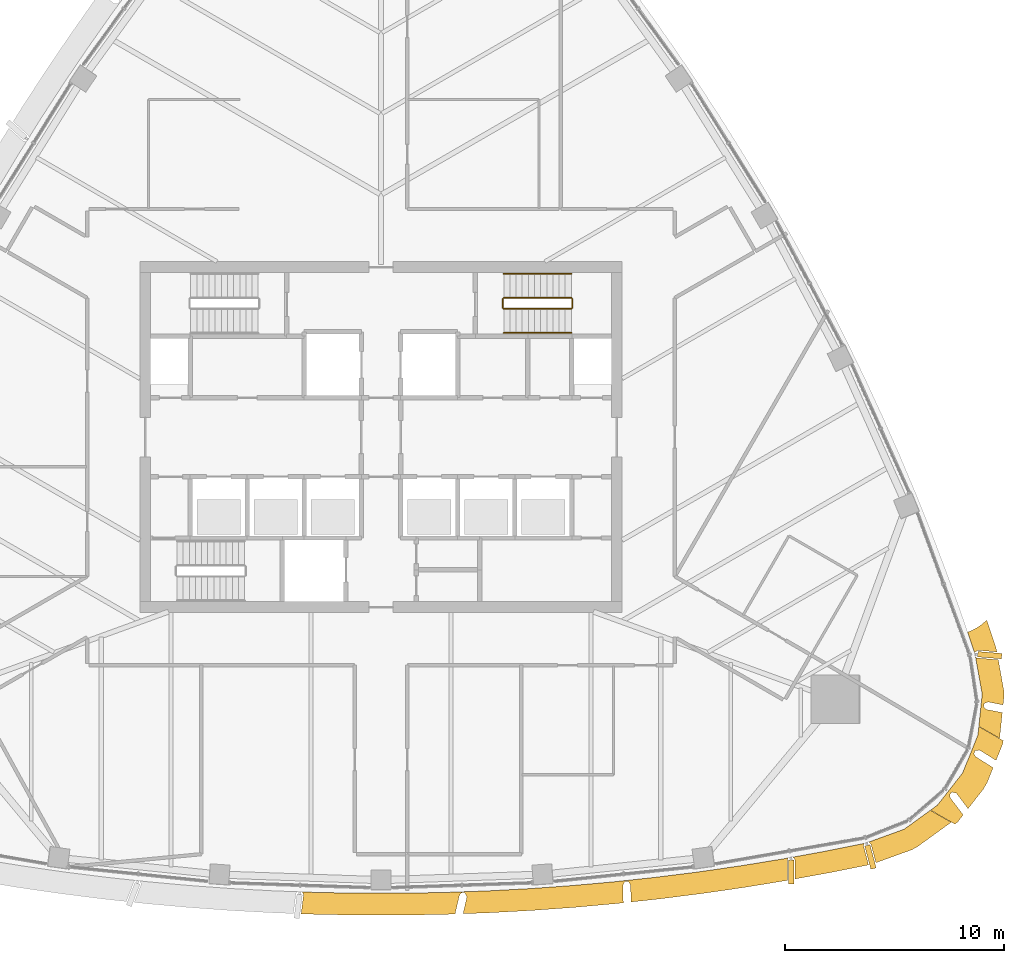
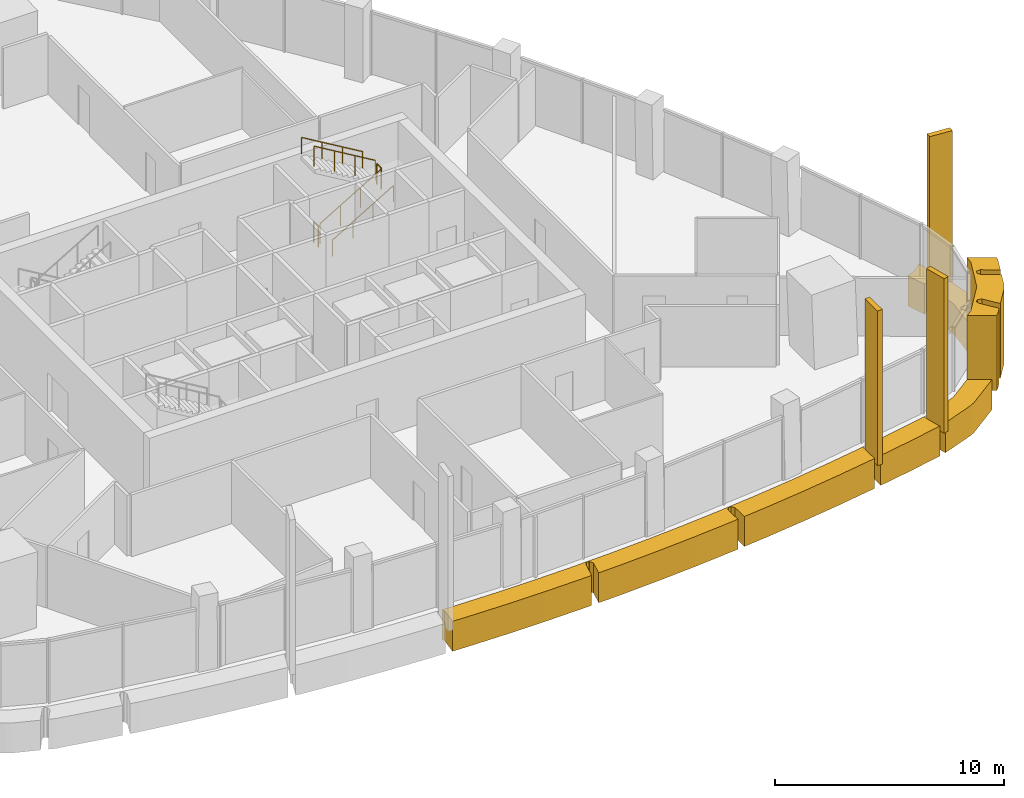
# One storey, part 16 of 18: 9 coverings, 6 railings.
"""IFC4 building model written with IfcOpenShell, lengths in metres."""

from ifc_helpers import new_model, si_unit, direction, frame, origin, origin_2d, place, context, subcontext, project, spatial, polyline, rectangle, circle, outline, extrude, material, layer, layer_set, material_profile, profile_set, type_object, element, save


model = new_model("IFC4")

# Units and contexts
model_context = context("Model", 3, precision=1e-05, world=origin(), true_north=direction((0.0, 1.0)))
body_context = subcontext(model_context, "Body", "Model", "MODEL_VIEW")
ifc_project = project(units=[si_unit("LENGTHUNIT", "METRE"), si_unit("AREAUNIT", "SQUARE_METRE"), si_unit("VOLUMEUNIT", "CUBIC_METRE"), si_unit("PLANEANGLEUNIT", "RADIAN"), si_unit("MASSUNIT", "GRAM", prefix="KILO")], contexts=[model_context])

# Site, building, storey
site_placement = place(None, origin())
site = spatial("IfcSite", under=ifc_project, at=site_placement, CompositionType="ELEMENT")
building_placement = place(site_placement, origin())
building = spatial("IfcBuilding", under=site, at=building_placement, Name="Sierra Prisma Convention Tower", CompositionType="ELEMENT")
storey_placement = place(building_placement, frame((0.0, 0.0, 287.0)))
storey = spatial("IfcBuildingStorey", under=building, at=storey_placement, Name="L65", CompositionType="ELEMENT", Elevation=287.0)

# Coverings
ifc_material_1 = material(Name="Aluminium composite bronze anodised", Category="aluminium")
ifc_layer_1 = layer(ifc_material_1, 1.199951171875)
ifc_layer_set_1 = layer_set([ifc_layer_1], Name="Bronze corner pier")
covering_type_1 = type_object("IfcCoveringType", Name="Bronze corner pier", PredefinedType="CLADDING", material=ifc_layer_set_1)
covering_1_placement = place(storey_placement, frame((0.0, 0.0, -0.60009765625)))
element("IfcCovering", 1, at=covering_1_placement, inside=storey, type_object=covering_type_1, Name="Corner pier SE L65.1", PredefinedType="CLADDING", context=body_context, shape_type="SweptSolid", body=[
    extrude(outline(polyline([(27.10009765625, -14.30029296875), (27.09619140625, -14.30322265625), (27.092529296875, -14.306640625), (27.089111328125, -14.310302734375), (27.086181640625, -14.314208984375), (27.083740234375, -14.318603515625), (27.081787109375, -14.322998046875), (27.044189453125, -14.415771484375), (27.04248046875, -14.420654296875), (27.04150390625, -14.42578125), (27.040771484375, -14.430908203125), (27.040771484375, -14.43603515625), (27.041015625, -14.441162109375), (27.0419921875, -14.4462890625), (27.04345703125, -14.451416015625), (27.04541015625, -14.4560546875), (27.048095703125, -14.460693359375), (27.11181640625, -14.565185546875), (27.114501953125, -14.569091796875), (27.1171875, -14.572509765625), (27.12060546875, -14.575927734375), (27.124267578125, -14.578857421875), (27.1279296875, -14.58154296875), (27.914306640625, -15.072265625), (27.635986328125, -15.76220703125), (27.468505859375, -16.052490234375), (26.770751953125, -16.944580078125), (26.24951171875, -16.251953125), (26.246337890625, -16.248291015625), (26.242919921875, -16.24462890625), (26.239013671875, -16.24169921875), (26.23486328125, -16.239013671875), (26.230224609375, -16.236572265625), (26.2255859375, -16.234619140625), (26.220947265625, -16.2333984375), (26.057373046875, -16.1953125), (26.052734375, -16.1943359375), (26.048095703125, -16.194091796875), (26.043212890625, -16.194091796875), (26.03857421875, -16.194580078125), (26.033935546875, -16.1953125), (26.029296875, -16.19677734375), (26.02490234375, -16.198486328125), (26.020751953125, -16.20068359375), (26.016845703125, -16.203369140625), (26.01318359375, -16.206298828125), (26.009765625, -16.20947265625), (26.006591796875, -16.213134765625), (25.945068359375, -16.2919921875), (25.942138671875, -16.2958984375), (25.939697265625, -16.30029296875), (25.937744140625, -16.3046875), (25.936279296875, -16.3095703125), (25.93505859375, -16.314208984375), (25.9345703125, -16.319091796875), (25.934326171875, -16.32421875), (25.934814453125, -16.3291015625), (25.935791015625, -16.333984375), (25.961181640625, -16.443603515625), (25.962646484375, -16.44873046875), (25.964599609375, -16.45361328125), (25.967041015625, -16.4580078125), (25.969970703125, -16.46240234375), (26.547607421875, -17.22998046875), (26.31787109375, -17.523681640625), (26.1806640625, -17.65576171875), (25.0615234375, -17.009521484375), (25.37255859375, -16.784423828125), (26.523193359375, -15.313232421875), (27.221923828125, -13.5810546875), (27.261474609375, -13.19921875), (28.380615234375, -13.84521484375), (28.334716796875, -14.030029296875), (28.04736328125, -14.74267578125), (27.313232421875, -14.28466796875), (27.30908203125, -14.2822265625), (27.304931640625, -14.280517578125), (27.300537109375, -14.279052734375), (27.296142578125, -14.27783203125), (27.29150390625, -14.277099609375), (27.286865234375, -14.277099609375), (27.2822265625, -14.277099609375), (27.123291015625, -14.2919921875), (27.118408203125, -14.292724609375), (27.11376953125, -14.2939453125), (27.10888671875, -14.295654296875), (27.1044921875, -14.297607421875), (27.10009765625, -14.30029296875)])), origin(), (0.0, 0.0, 1.0), 4.0),
])
ifc_material_2 = material(Name="Aluminium 6063-T6 bronze anodised", Category="aluminium")
ifc_material_profile = material_profile(ifc_material_2, rectangle(XDim=1.10009765625, YDim=0.25, at=origin_2d()), Name="ALU FIN 1100x250")
ifc_profile_set = profile_set([ifc_material_profile], Name="Aluminium 6063-T6 bronze anodised")
covering_type_2 = type_object("IfcCoveringType", Name="Bronze facade fin", PredefinedType="CLADDING", material=ifc_profile_set)
for number, where, z_axis, x_axis, name in (
    (2, (18.706787109375, -19.837890625, -0.300048828125), (0.0, 0.0, 1.0), (0.004905873502, -0.99998796613, 0.0), "Fin L65.17"),
    (3, (22.317626953125, -19.146728515625, -0.300048828125), (0.0, 0.0, 1.0), (0.256335063671, -0.966587986235, 0.0), "Fin L65.18"),
    (4, (27.757568359375, -9.944580078125, -0.300048828125), (0.0, 0.0, 1.0), (0.996415459491, -0.084594515708, 0.0), "Fin L65.23"),
):
    element("IfcCovering", number, at=place(storey_placement, frame(where, z_axis=z_axis, x_axis=x_axis)), inside=storey, type_object=covering_type_2, Name=name, ObjectType="FIN", PredefinedType="CLADDING", context=body_context, shape_type="SweptSolid", body=[
        extrude(rectangle(XDim=1.10009765625, YDim=0.25, at=origin_2d()), origin(), (0.0, 0.0, 1.0), 8.25),
    ])
ifc_material_3 = material(Name="Aluminium composite bronze anodised", Category="aluminium")
ifc_layer_2 = layer(ifc_material_3, 1.0)
ifc_layer_set_2 = layer_set([ifc_layer_2], Name="Bronze spandrel band")
covering_type_3 = type_object("IfcCoveringType", Name="Bronze spandrel band", PredefinedType="CLADDING", material=ifc_layer_set_2)
covering_2_placement = place(storey_placement, frame((0.0, 0.0, -1.60009765625)))
element("IfcCovering", 5, at=covering_2_placement, inside=storey, type_object=covering_type_3, Name="Spandrel band L65.7", PredefinedType="CLADDING", context=body_context, shape_type="SweptSolid", body=[
    extrude(outline(polyline([(28.03271484375, -9.564208984375), (28.069580078125, -9.70849609375), (28.08544921875, -9.796630859375), (27.224365234375, -9.7236328125), (27.219482421875, -9.723388671875), (27.21435546875, -9.7236328125), (27.20947265625, -9.724609375), (27.20458984375, -9.725830078125), (27.2001953125, -9.7275390625), (27.195556640625, -9.729736328125), (27.19140625, -9.732421875), (27.06396484375, -9.822021484375), (26.751220703125, -8.897216796875), (26.958984375, -8.809326171875), (27.17529296875, -8.69189453125), (27.379150390625, -8.5537109375), (27.568603515625, -8.396484375), (27.619873046875, -8.344482421875), (28.03271484375, -9.564208984375)])), origin(), (0.0, 0.0, 1.0), 1.60009765625),
])
covering_3_placement = place(storey_placement, frame((0.0, 0.0, -1.60009765625)))
element("IfcCovering", 6, at=covering_3_placement, inside=storey, type_object=covering_type_3, Name="Spandrel band L65.8", PredefinedType="CLADDING", context=body_context, shape_type="SweptSolid", body=[
    extrude(outline(polyline([(27.6669921875, -12.082763671875), (27.662109375, -12.084716796875), (27.5244140625, -12.145263671875), (27.52001953125, -12.1474609375), (27.51611328125, -12.14990234375), (27.51220703125, -12.15283203125), (27.5087890625, -12.156005859375), (27.505615234375, -12.15966796875), (27.502685546875, -12.16357421875), (27.500244140625, -12.167724609375), (27.498291015625, -12.172119140625), (27.49658203125, -12.176513671875), (27.495361328125, -12.18115234375), (27.49462890625, -12.185791015625), (27.484375, -12.285400390625), (27.484130859375, -12.290283203125), (27.484375, -12.295166015625), (27.485107421875, -12.2998046875), (27.486083984375, -12.3046875), (27.48779296875, -12.30908203125), (27.48974609375, -12.313720703125), (27.4921875, -12.31787109375), (27.4951171875, -12.32177734375), (27.498291015625, -12.325439453125), (27.501953125, -12.32861328125), (27.602783203125, -12.4140625), (27.606689453125, -12.4169921875), (27.611083984375, -12.419921875), (27.61572265625, -12.422119140625), (27.62060546875, -12.423583984375), (27.62548828125, -12.425048828125), (28.3330078125, -12.561279296875), (28.216796875, -13.68408203125), (28.20458984375, -13.732177734375), (27.2626953125, -13.188232421875), (27.414306640625, -11.723388671875), (27.111572265625, -10.031494140625), (27.1748046875, -10.06640625), (27.1796875, -10.068603515625), (27.1845703125, -10.0703125), (27.189697265625, -10.071533203125), (27.19482421875, -10.072265625), (28.1494140625, -10.1533203125), (28.398681640625, -11.547119140625), (28.408935546875, -11.826171875), (28.369140625, -12.2119140625), (27.69189453125, -12.081298828125), (27.686767578125, -12.08056640625), (27.681884765625, -12.080322265625), (27.6767578125, -12.080810546875), (27.671875, -12.08154296875), (27.6669921875, -12.082763671875)])), origin(), (0.0, 0.0, 1.0), 1.60009765625),
])
covering_4_placement = place(storey_placement, frame((0.0, 0.0, -1.60009765625)))
element("IfcCovering", 7, at=covering_4_placement, inside=storey, type_object=covering_type_3, Name="Spandrel band L65.9", PredefinedType="CLADDING", context=body_context, shape_type="SweptSolid", body=[
    extrude(outline(polyline([(22.568359375, -19.409423828125), (22.345703125, -18.5703125), (22.34423828125, -18.5654296875), (22.34228515625, -18.560791015625), (22.33984375, -18.556396484375), (22.3369140625, -18.552490234375), (22.33349609375, -18.548583984375), (22.330078125, -18.545166015625), (22.237060546875, -18.4658203125), (23.85986328125, -17.8798828125), (25.052734375, -17.01611328125), (25.99462890625, -17.56005859375), (25.958984375, -17.59423828125), (24.4462890625, -18.689697265625), (24.199462890625, -18.820556640625), (22.568359375, -19.409423828125)])), origin(), (0.0, 0.0, 1.0), 1.60009765625),
])
covering_5_placement = place(storey_placement, frame((0.0, 0.0, -1.60009765625)))
element("IfcCovering", 8, at=covering_5_placement, inside=storey, type_object=covering_type_3, Name="Spandrel band L65.10", PredefinedType="CLADDING", context=body_context, shape_type="SweptSolid", body=[
    extrude(outline(polyline([(18.87158203125, -19.2607421875), (18.868896484375, -19.2568359375), (18.787353515625, -19.15087890625), (20.205078125, -18.893798828125), (22.03515625, -18.52783203125), (22.00732421875, -18.634765625), (22.00634765625, -18.639892578125), (22.005859375, -18.644775390625), (22.005859375, -18.64990234375), (22.006591796875, -18.655029296875), (22.007568359375, -18.66015625), (22.232421875, -19.508056640625), (20.401123046875, -19.87451171875), (20.38330078125, -19.877685546875), (18.88330078125, -20.14990234375), (18.879150390625, -19.287109375), (18.87890625, -19.282470703125), (18.87841796875, -19.27783203125), (18.877197265625, -19.2734375), (18.875732421875, -19.26904296875), (18.873779296875, -19.2646484375), (18.87158203125, -19.2607421875)])), origin(), (0.0, 0.0, 1.0), 1.60009765625),
])
covering_6_placement = place(storey_placement, frame((0.0, 0.0, -1.60009765625)))
element("IfcCovering", 9, at=covering_6_placement, inside=storey, type_object=covering_type_3, Name="Spandrel band L65.11", PredefinedType="CLADDING", context=body_context, shape_type="SweptSolid", body=[
    extrude(outline(polyline([(11.382080078125, -20.425537109375), (11.38134765625, -20.420654296875), (11.3798828125, -20.415771484375), (11.378173828125, -20.4111328125), (11.3759765625, -20.406494140625), (11.373046875, -20.40234375), (11.284912109375, -20.2802734375), (11.281982421875, -20.276611328125), (11.27880859375, -20.27294921875), (11.27490234375, -20.27001953125), (11.27099609375, -20.26708984375), (11.266845703125, -20.264892578125), (11.2626953125, -20.262939453125), (11.258056640625, -20.261474609375), (11.25341796875, -20.26025390625), (11.24853515625, -20.259765625), (11.243896484375, -20.259521484375), (11.239013671875, -20.259765625), (11.1396484375, -20.2705078125), (11.134765625, -20.271240234375), (11.130126953125, -20.2724609375), (11.12548828125, -20.274169921875), (11.12109375, -20.276123046875), (11.1171875, -20.27880859375), (11.11328125, -20.28173828125), (11.109619140625, -20.284912109375), (11.106201171875, -20.28857421875), (11.103515625, -20.29248046875), (11.100830078125, -20.296630859375), (11.03857421875, -20.4130859375), (11.036376953125, -20.417724609375), (11.03466796875, -20.422607421875), (11.033447265625, -20.427490234375), (11.03271484375, -20.4326171875), (11.03271484375, -20.437744140625), (11.048828125, -21.23828125), (10.736572265625, -21.272216796875), (10.71875, -21.27392578125), (8.791015625, -21.447265625), (8.77294921875, -21.44873046875), (6.84228515625, -21.587646484375), (6.824462890625, -21.588623046875), (4.8916015625, -21.69287109375), (4.87353515625, -21.693603515625), (3.7412109375, -21.734375), (3.91357421875, -20.985107421875), (3.914306640625, -20.980224609375), (3.914794921875, -20.97509765625), (3.91455078125, -20.97021484375), (3.9140625, -20.96533203125), (3.912841796875, -20.96044921875), (3.911376953125, -20.955810546875), (3.9091796875, -20.951171875), (3.8330078125, -20.801513671875), (3.830810546875, -20.79736328125), (3.828125, -20.79345703125), (3.824951171875, -20.789794921875), (3.821533203125, -20.78662109375), (3.81787109375, -20.78369140625), (3.81396484375, -20.781005859375), (3.809814453125, -20.77880859375), (3.805419921875, -20.777099609375), (3.80078125, -20.775634765625), (3.796142578125, -20.774658203125), (3.79150390625, -20.774169921875), (3.786865234375, -20.774169921875), (3.68701171875, -20.777587890625), (3.681884765625, -20.7783203125), (3.677001953125, -20.779052734375), (3.67236328125, -20.780517578125), (3.667724609375, -20.7822265625), (3.663330078125, -20.78466796875), (3.6591796875, -20.787353515625), (3.6552734375, -20.790283203125), (3.65185546875, -20.7939453125), (3.648681640625, -20.797607421875), (3.5810546875, -20.8876953125), (3.578125, -20.89208984375), (3.57568359375, -20.896728515625), (3.57373046875, -20.901611328125), (3.572509765625, -20.906494140625), (3.379150390625, -21.747314453125), (2.939208984375, -21.76318359375), (2.921142578125, -21.763671875), (0.98583984375, -21.79833984375), (0.9677734375, -21.798583984375), (-0.9677734375, -21.798583984375), (-0.98583984375, -21.79833984375), (-2.921142578125, -21.763671875), (-2.939208984375, -21.76318359375), (-3.640869140625, -21.73779296875), (-3.5341796875, -20.87646484375), (-3.533935546875, -20.871337890625), (-3.5341796875, -20.866455078125), (-3.53466796875, -20.861328125), (-3.535888671875, -20.8564453125), (-3.53759765625, -20.851806640625), (-3.53955078125, -20.84716796875), (-3.59619140625, -20.739013671875), (-2.9033203125, -20.763916015625), (-0.9677734375, -20.798583984375), (0.9677734375, -20.798583984375), (2.9033203125, -20.763916015625), (4.837646484375, -20.6943359375), (6.7705078125, -20.590087890625), (8.701416015625, -20.451416015625), (10.629150390625, -20.27783203125), (12.5537109375, -20.06982421875), (14.47412109375, -19.827392578125), (16.389892578125, -19.550537109375), (18.30029296875, -19.2392578125), (18.572265625, -19.18994140625), (18.534423828125, -19.266357421875), (18.532470703125, -19.2705078125), (18.531005859375, -19.275146484375), (18.530029296875, -19.279541015625), (18.529296875, -19.2841796875), (18.529296875, -19.288818359375), (18.53369140625, -20.21337890625), (18.478759765625, -20.22314453125), (18.461181640625, -20.226318359375), (16.550537109375, -20.53759765625), (16.532958984375, -20.540283203125), (14.6171875, -20.817138671875), (14.599365234375, -20.819580078125), (12.678955078125, -21.06201171875), (12.6611328125, -21.064208984375), (11.398193359375, -21.20068359375), (11.382568359375, -20.4306640625), (11.382080078125, -20.425537109375)])), origin(), (0.0, 0.0, 1.0), 1.60009765625),
])

# Railings
ifc_material_4 = material(Name="Stainless steel", Category="steel")
railing_type_1 = type_object("IfcRailingType", Name="Exit stair handrail", PredefinedType="HANDRAIL", material=ifc_material_4)
railing_1_placement = place(storey_placement, frame((5.60009765625, 4.75, 0.166748046875)))
element("IfcRailing", 10, at=railing_1_placement, inside=storey, type_object=railing_type_1, Name="L65 S4 stair handrail 1", PredefinedType="HANDRAIL", context=body_context, shape_type="SweptSolid", body=[
    extrude(circle(Radius=0.02392578125, at=origin_2d()), frame((0.0, 0.0, 0.8759765625), z_axis=(0.859290745958, 0.0, 0.51148745235), x_axis=(0.0, 1.0, 0.0)), (0.0, 0.0, 1.0), 3.584228515625),
    extrude(circle(Radius=0.02099609375, at=origin_2d()), origin(), (0.0, 0.0, 1.0), 0.851806640625),
    extrude(circle(Radius=0.02099609375, at=origin_2d()), frame((1.026611328125, 0.0, 0.611083984375)), (0.0, 0.0, 1.0), 0.851806640625),
    extrude(circle(Radius=0.02099609375, at=origin_2d()), frame((2.05322265625, 0.0, 1.22216796875)), (0.0, 0.0, 1.0), 0.851806640625),
    extrude(circle(Radius=0.02099609375, at=origin_2d()), frame((3.079833984375, 0.0, 1.833251953125)), (0.0, 0.0, 1.0), 0.851806640625),
])
railing_2_placement = place(storey_placement, frame((8.679931640625, 7.449951171875, 2.166748046875)))
element("IfcRailing", 11, at=railing_2_placement, inside=storey, type_object=railing_type_1, Name="L65 S4 stair handrail 2", PredefinedType="HANDRAIL", context=body_context, shape_type="SweptSolid", body=[
    extrude(circle(Radius=0.02392578125, at=origin_2d()), frame((0.0, 0.0, 0.8759765625), z_axis=(-0.859290745958, 0.0, 0.51148745235), x_axis=(0.0, -1.0, 0.0)), (0.0, 0.0, 1.0), 3.584228515625),
    extrude(circle(Radius=0.02099609375, at=origin_2d()), origin(), (0.0, 0.0, 1.0), 0.851806640625),
    extrude(circle(Radius=0.02099609375, at=origin_2d()), frame((-1.026611328125, 0.0, 0.611083984375)), (0.0, 0.0, 1.0), 0.851806640625),
    extrude(circle(Radius=0.02099609375, at=origin_2d()), frame((-2.05322265625, 0.0, 1.22216796875)), (0.0, 0.0, 1.0), 0.851806640625),
    extrude(circle(Radius=0.02099609375, at=origin_2d()), frame((-3.079833984375, 0.0, 1.833251953125)), (0.0, 0.0, 1.0), 0.851806640625),
])
ifc_material_5 = material(Name="Stainless steel", Category="steel")
railing_type_2 = type_object("IfcRailingType", Name="Stair guard 1100", PredefinedType="GUARDRAIL", material=ifc_material_5)
railing_3_placement = place(storey_placement, frame((5.60009765625, 5.85009765625, 0.166748046875)))
element("IfcRailing", 12, at=railing_3_placement, inside=storey, type_object=railing_type_2, Name="L65 S4 stair guard 1", PredefinedType="GUARDRAIL", context=body_context, shape_type="SweptSolid", body=[
    extrude(circle(Radius=0.02392578125, at=origin_2d()), frame((0.0, 0.0, 1.076171875), z_axis=(0.859290745958, 0.0, 0.51148745235), x_axis=(0.0, 1.0, 0.0)), (0.0, 0.0, 1.0), 3.584228515625),
    extrude(circle(Radius=0.02099609375, at=origin_2d()), origin(), (0.0, 0.0, 1.0), 1.052001953125),
    extrude(circle(Radius=0.02099609375, at=origin_2d()), frame((1.026611328125, 0.0, 0.611083984375)), (0.0, 0.0, 1.0), 1.052001953125),
    extrude(circle(Radius=0.02099609375, at=origin_2d()), frame((2.05322265625, 0.0, 1.22216796875)), (0.0, 0.0, 1.0), 1.052001953125),
    extrude(circle(Radius=0.02099609375, at=origin_2d()), frame((3.079833984375, 0.0, 1.833251953125)), (0.0, 0.0, 1.0), 1.052001953125),
])
railing_4_placement = place(storey_placement, frame((8.72998046875, 5.89990234375, 2.0)))
element("IfcRailing", 13, at=railing_4_placement, inside=storey, type_object=railing_type_2, Name="L65 S4 stair guard 2", PredefinedType="GUARDRAIL", context=body_context, shape_type="SweptSolid", body=[
    extrude(circle(Radius=0.02392578125, at=origin_2d()), frame((0.0, 0.0, 1.076171875), z_axis=(0.0, 1.0, 0.0), x_axis=(-1.0, 0.0, 0.0)), (0.0, 0.0, 1.0), 0.400146484375),
    extrude(circle(Radius=0.02099609375, at=origin_2d()), origin(), (0.0, 0.0, 1.0), 1.052001953125),
    extrude(circle(Radius=0.02099609375, at=origin_2d()), frame((0.0, 0.400146484375, 0.0)), (0.0, 0.0, 1.0), 1.052001953125),
])
railing_5_placement = place(storey_placement, frame((8.679931640625, 6.35009765625, 2.166748046875)))
element("IfcRailing", 14, at=railing_5_placement, inside=storey, type_object=railing_type_2, Name="L65 S4 stair guard 3", PredefinedType="GUARDRAIL", context=body_context, shape_type="SweptSolid", body=[
    extrude(circle(Radius=0.02392578125, at=origin_2d()), frame((0.0, 0.0, 1.076171875), z_axis=(-0.859290745958, 0.0, 0.51148745235), x_axis=(0.0, -1.0, 0.0)), (0.0, 0.0, 1.0), 3.584228515625),
    extrude(circle(Radius=0.02099609375, at=origin_2d()), origin(), (0.0, 0.0, 1.0), 1.052001953125),
    extrude(circle(Radius=0.02099609375, at=origin_2d()), frame((-1.026611328125, 0.0, 0.611083984375)), (0.0, 0.0, 1.0), 1.052001953125),
    extrude(circle(Radius=0.02099609375, at=origin_2d()), frame((-2.05322265625, 0.0, 1.22216796875)), (0.0, 0.0, 1.0), 1.052001953125),
    extrude(circle(Radius=0.02099609375, at=origin_2d()), frame((-3.079833984375, 0.0, 1.833251953125)), (0.0, 0.0, 1.0), 1.052001953125),
])
railing_6_placement = place(storey_placement, frame((5.550048828125, 5.89990234375, 0.0)))
element("IfcRailing", 15, at=railing_6_placement, inside=storey, type_object=railing_type_2, Name="L65 S4 stair guard 4", PredefinedType="GUARDRAIL", context=body_context, shape_type="SweptSolid", body=[
    extrude(circle(Radius=0.02392578125, at=origin_2d()), frame((0.0, 0.0, 1.076171875), z_axis=(0.0, 1.0, 0.0), x_axis=(-1.0, 0.0, 0.0)), (0.0, 0.0, 1.0), 0.400146484375),
    extrude(circle(Radius=0.02099609375, at=origin_2d()), origin(), (0.0, 0.0, 1.0), 1.052001953125),
    extrude(circle(Radius=0.02099609375, at=origin_2d()), frame((0.0, 0.400146484375, 0.0)), (0.0, 0.0, 1.0), 1.052001953125),
])

save(model, "model.ifc")
